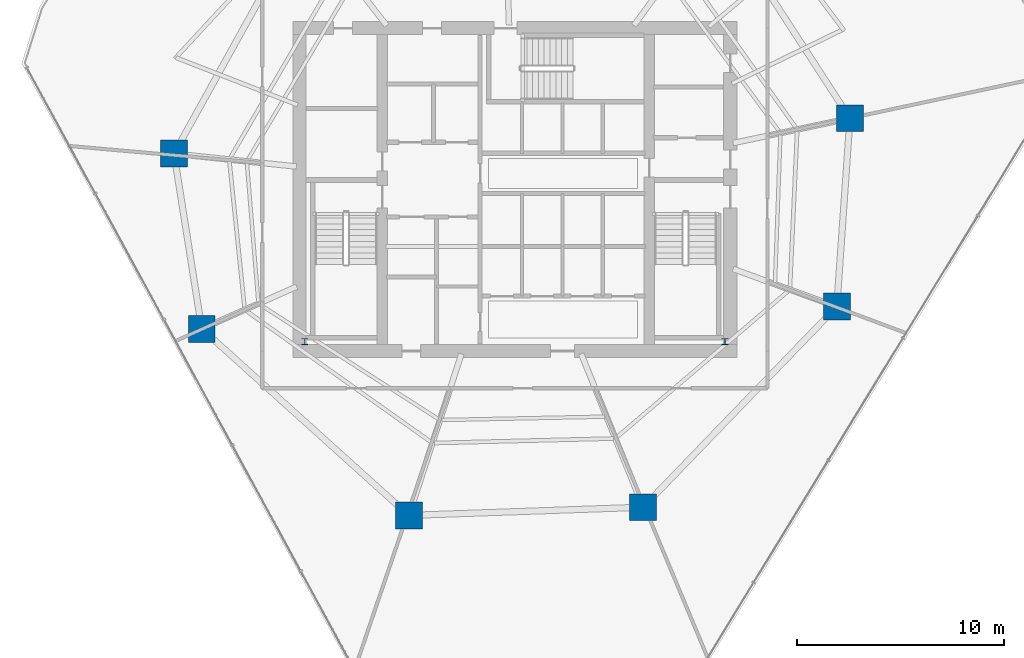
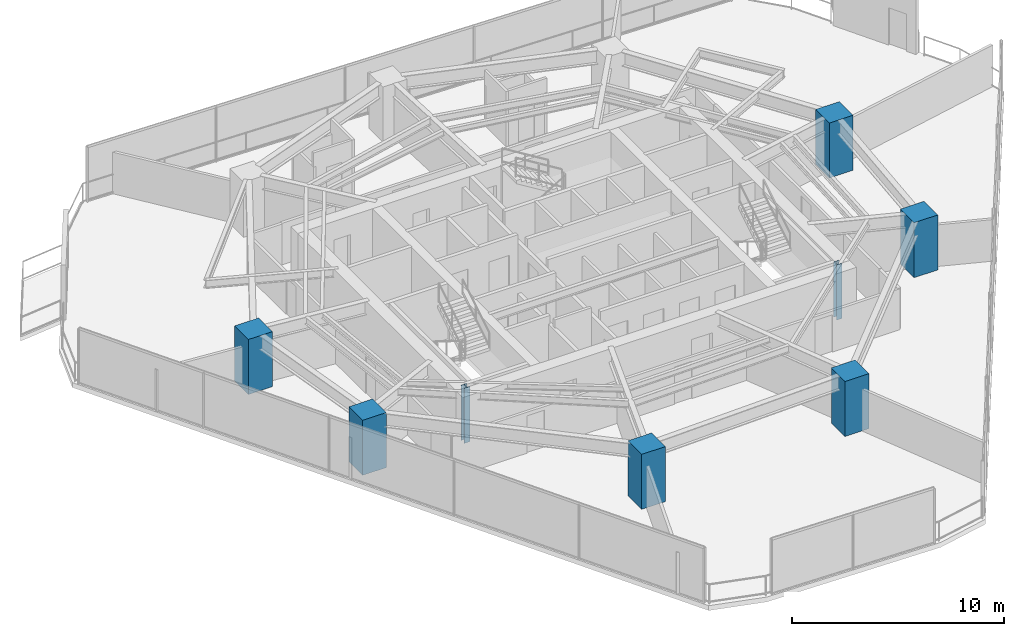
# One storey, part 1 of 30: 8 columns.
"""IFC4 building model written with IfcOpenShell, lengths in metres."""

import ifcopenshell
import ifcopenshell.guid

model = None  # the IFC model being written
_history = None  # IfcOwnerHistory: only IFC2X3 demands one
_inside = {}  # id of a spatial element -> (the spatial element, [elements in it])
_under = {}  # id of a project, library or spatial element -> (it, [spatial elements below it])
_declared = {}  # id of a project -> (the project, [libraries it declares])
_typed = {}  # id of a type object -> (the type object, [elements of that type])
_made_of = {}  # id of a material, layer set ... -> (it, [elements and type objects made of it])


def new_model(schema):
    """Start an empty IFC model of exactly this schema.

    Asked for "IFC4X3", IfcOpenShell would pick the latest addendum, in which some entities
    have other attributes; the version numbers below select the first issue.
    IFC2X3 requires an IfcOwnerHistory on every rooted entity: one is made here for all.
    """
    global model, _history
    if schema == "IFC4X3":
        model = ifcopenshell.file(schema_version=(4, 3, 0, 0))
    else:
        model = ifcopenshell.file(schema=schema)
    _inside.clear()
    _under.clear()
    _declared.clear()
    _typed.clear()
    _made_of.clear()
    _history = None
    if model.schema == "IFC2X3":
        org = make("IfcOrganization", Name="unknown")
        user = make(
            "IfcPersonAndOrganization",
            ThePerson=make("IfcPerson", FamilyName="unknown"),
            TheOrganization=org,
        )
        app = make(
            "IfcApplication",
            ApplicationDeveloper=org,
            Version="unknown",
            ApplicationFullName="unknown",
            ApplicationIdentifier="unknown",
        )
        _history = make(
            "IfcOwnerHistory",
            OwningUser=user,
            OwningApplication=app,
            ChangeAction="ADDED",
            CreationDate=0,
        )
    return model


def make(cls, **values):
    """One entity of the class cls with the attributes given. An attribute that is None is left unset."""
    return model.create_entity(
        cls, **{name: value for name, value in values.items() if value is not None}
    )


def rooted(cls, **values):
    """An entity with a GlobalId (a new one), such as an element, a storey or a relation."""
    return make(cls, GlobalId=ifcopenshell.guid.new(), OwnerHistory=_history, **values)


def si_unit(unit_type, name, prefix=None):
    """IfcSIUnit, for example si_unit("LENGTHUNIT", "METRE", prefix="MILLI")."""
    return make("IfcSIUnit", UnitType=unit_type, Prefix=prefix, Name=name)


def assignment(units):
    """IfcUnitAssignment: the units of a project."""
    return None if units is None else make("IfcUnitAssignment", Units=units)


def point(xyz):
    """IfcCartesianPoint."""
    return None if xyz is None else make("IfcCartesianPoint", Coordinates=xyz)


def direction(xyz):
    """IfcDirection."""
    return None if xyz is None else make("IfcDirection", DirectionRatios=xyz)


def frame(location, z_axis=None, x_axis=None):
    """IfcAxis2Placement3D, a coordinate frame: its origin and axes. An axis left out is left unset."""
    return make(
        "IfcAxis2Placement3D",
        Location=point(location),
        Axis=direction(z_axis),
        RefDirection=direction(x_axis),
    )


def frame_2d(location, x_axis=None):
    """IfcAxis2Placement2D, a coordinate frame in the plane: its origin and x axis."""
    return make(
        "IfcAxis2Placement2D", Location=point(location), RefDirection=direction(x_axis)
    )


def origin():
    """The frame at (0, 0, 0) with its axes left unset."""
    return frame((0.0, 0.0, 0.0))


def origin_2d():
    """The frame at (0, 0) in the plane with its x axis left unset."""
    return frame_2d((0.0, 0.0))


def place(relative_to, where):
    """IfcLocalPlacement: puts the frame where relative to a parent placement (None: the world)."""
    return make(
        "IfcLocalPlacement", PlacementRelTo=relative_to, RelativePlacement=where
    )


def context(
    kind, dimensions, precision=None, world=None, true_north=None, identifier=None
):
    """IfcGeometricRepresentationContext, for example the 3D "Model" context."""
    return make(
        "IfcGeometricRepresentationContext",
        ContextIdentifier=identifier,
        ContextType=kind,
        CoordinateSpaceDimension=dimensions,
        Precision=precision,
        WorldCoordinateSystem=world,
        TrueNorth=true_north,
    )


def subcontext(parent, identifier, kind, view, scale=None):
    """IfcGeometricRepresentationSubContext, for example "Body" below "Model"."""
    return make(
        "IfcGeometricRepresentationSubContext",
        ContextIdentifier=identifier,
        ContextType=kind,
        ParentContext=parent,
        TargetScale=scale,
        TargetView=view,
    )


def project(units=None, contexts=None):
    """IfcProject with its units and contexts."""
    return rooted(
        "IfcProject",
        Name="project",
        RepresentationContexts=contexts,
        UnitsInContext=assignment(units),
    )


def spatial(cls, under=None, at=None, **own):
    """A site, building, storey or space (cls), placed at a placement, below another one or the project."""
    s = rooted(cls, ObjectPlacement=at, **own)
    if under is not None:
        _under.setdefault(under.id(), (under, []))[1].append(s)
    return s


def profile(cls, at=None, kind="AREA", **sizes):
    """A parametric profile (cls). Its sizes go by their IFC names, for example OverallWidth=200.0."""
    return make(cls, ProfileType=kind, Position=at, **sizes)


def rectangle(**sizes):
    """IfcRectangleProfileDef."""
    return profile("IfcRectangleProfileDef", **sizes)


def i_section(**sizes):
    """IfcIShapeProfileDef."""
    return profile("IfcIShapeProfileDef", **sizes)


def extrude(swept, where, along, depth):
    """IfcExtrudedAreaSolid: the profile swept, set in the frame where, extruded along a direction by depth."""
    return make(
        "IfcExtrudedAreaSolid",
        SweptArea=swept,
        Position=where,
        ExtrudedDirection=direction(along),
        Depth=depth,
    )


def shape(context_of_items, identifier, shape_type, items):
    """IfcShapeRepresentation: the items that make up one representation, for example the "Body"."""
    return make(
        "IfcShapeRepresentation",
        ContextOfItems=context_of_items,
        RepresentationIdentifier=identifier,
        RepresentationType=shape_type,
        Items=items,
    )


def material(Name=None, Category=None):
    """IfcMaterial."""
    return make("IfcMaterial", Name=Name, Category=Category)


def material_profile(
    of_material, cross_section, Name=None, Category=None, Priority=None
):
    """IfcMaterialProfile: a cross section and its material."""
    return make(
        "IfcMaterialProfile",
        Name=Name,
        Material=of_material,
        Profile=cross_section,
        Priority=Priority,
        Category=Category,
    )


def profile_set(profiles, Name=None, composite=None):
    """IfcMaterialProfileSet."""
    return make(
        "IfcMaterialProfileSet",
        Name=Name,
        MaterialProfiles=profiles,
        CompositeProfile=composite,
    )


def made_of(thing, what):
    """Note that an element or type object is made of a material, layer set ...; save() writes the relation."""
    if what is not None:
        _made_of.setdefault(what.id(), (what, []))[1].append(thing)
    return thing


def type_object(cls, material=None, **own):
    """A type object (cls), such as IfcWallType, which elements share."""
    return made_of(rooted(cls, **own), material)


def element(
    cls,
    number,
    at=None,
    inside=None,
    cuts=None,
    type_object=None,
    material=None,
    context=None,
    identifier="Body",
    shape_type=None,
    held_by="IfcProductDefinitionShape",
    body=None,
    shapes=None,
    **own,
):
    """One element of the class cls, such as IfcWall. Its Tag is "e" and its number.

    at: its placement. inside: the storey or other place that contains it. cuts: it is an
    opening in that element (IfcRelVoidsElement). A single representation is given by context,
    identifier, shape_type and body (its items); several are given by shapes. held_by: the class
    of the entity that holds the representations. save() writes the other relations.
    """
    e = rooted(cls, Tag="e%d" % number, ObjectPlacement=at, **own)
    if body is not None:
        shapes = [shape(context, identifier, shape_type, body)]
    if shapes is not None:
        e.Representation = make(held_by, Representations=shapes)
    if inside is not None:
        _inside.setdefault(inside.id(), (inside, []))[1].append(e)
    if cuts is not None:
        rooted(
            "IfcRelVoidsElement", RelatingBuildingElement=cuts, RelatedOpeningElement=e
        )
    if type_object is not None:
        _typed.setdefault(type_object.id(), (type_object, []))[1].append(e)
    return made_of(e, material)


def aggregate(whole, parts):
    """IfcRelAggregates: a whole, such as a stair, and the parts it consists of."""
    return rooted("IfcRelAggregates", RelatingObject=whole, RelatedObjects=parts)


def save(model, path):
    """Write the relations noted so far, then the file.

    IfcRelAggregates (storeys below a building ...), IfcRelContainedInSpatialStructure (elements
    in a storey), IfcRelDefinesByType, IfcRelAssociatesMaterial and IfcRelDeclares: one each for
    every whole, place, type object, material and project.
    """
    for whole, parts in _under.values():
        aggregate(whole, parts)
    for where, things in _inside.values():
        rooted(
            "IfcRelContainedInSpatialStructure",
            RelatedElements=things,
            RelatingStructure=where,
        )
    for kind, things in _typed.values():
        rooted("IfcRelDefinesByType", RelatedObjects=things, RelatingType=kind)
    for what, things in _made_of.values():
        rooted("IfcRelAssociatesMaterial", RelatedObjects=things, RelatingMaterial=what)
    for by, libraries in _declared.values():
        rooted("IfcRelDeclares", RelatingContext=by, RelatedDefinitions=libraries)
    model.write(path)


model = new_model("IFC4")

# Units and contexts
model_context = context("Model", 3, precision=1e-05, world=origin(), true_north=direction((0.0, 1.0)))
body_context = subcontext(model_context, "Body", "Model", "MODEL_VIEW")
ifc_project = project(units=[si_unit("LENGTHUNIT", "METRE"), si_unit("AREAUNIT", "SQUARE_METRE"), si_unit("VOLUMEUNIT", "CUBIC_METRE"), si_unit("PLANEANGLEUNIT", "RADIAN"), si_unit("MASSUNIT", "GRAM", prefix="KILO")], contexts=[model_context])

# Site, building, storey
site_placement = place(None, origin())
site = spatial("IfcSite", under=ifc_project, at=site_placement, CompositionType="ELEMENT")
building_placement = place(site_placement, origin())
building = spatial("IfcBuilding", under=site, at=building_placement, Name="Qarnah Convention Tower", CompositionType="ELEMENT")
storey_placement = place(building_placement, frame((0.0, 0.0, 61.5)))
storey = spatial("IfcBuildingStorey", under=building, at=storey_placement, Name="L15", CompositionType="ELEMENT", Elevation=61.5)

# Columns
ifc_material_1 = material(Name="Concrete C60/75", Category="concrete")
ifc_material_profile_1 = material_profile(ifc_material_1, rectangle(XDim=1.300048828125, YDim=1.300048828125, at=origin_2d()), Name="RC-COL-1300X1300")
ifc_profile_set_1 = profile_set([ifc_material_profile_1], Name="Concrete C60/75")
column_type_1 = type_object("IfcColumnType", Name="COL-Z1-1300", PredefinedType="COLUMN", material=ifc_profile_set_1)
for number, where, z_axis, x_axis, name in (
    (1, (53.387939453125, 29.841064453125, 0.0), (0.0, 0.0, 1.0), (1.0, 0.0, 0.0), "L15 plumb column PC-Z1-01"),
    (2, (20.740966796875, 28.1298828125, 0.0), (0.0, 0.0, 1.0), (1.0, 0.0, 0.0), "L15 plumb column PC-Z1-05"),
    (3, (22.0810546875, 19.6689453125, 0.0), (0.0, 0.0, 1.0), (1.0, 0.0, 0.0), "L15 plumb column PC-Z1-06"),
    (4, (32.0859375, 10.659912109375, 0.0), (0.0, 0.0, 1.0), (1.0, 0.0, 0.0), "L15 plumb column PC-Z1-07"),
    (5, (43.39990234375, 11.054931640625, 0.0), (0.0, 0.0, 1.0), (1.0, 0.0, 0.0), "L15 plumb column PC-Z1-08"),
    (6, (52.751953125, 20.739990234375, 0.0), (0.0, 0.0, 1.0), (1.0, 0.0, 0.0), "L15 plumb column PC-Z1-09"),
):
    element("IfcColumn", number, at=place(storey_placement, frame(where, z_axis=z_axis, x_axis=x_axis)), inside=storey, type_object=column_type_1, Name=name, PredefinedType="COLUMN", context=body_context, shape_type="SweptSolid", body=[
        extrude(rectangle(XDim=1.300048828125, YDim=1.300048828125, at=origin_2d()), origin(), (0.0, 0.0, 1.0), 3.169921875),
    ])
ifc_material_2 = material(Name="Structural steel S355JR", Category="steel")
ifc_material_profile_2 = material_profile(ifc_material_2, i_section(OverallWidth=0.300048828125, OverallDepth=0.300048828125, WebThickness=0.010986328125, FlangeThickness=0.01904296875, at=origin_2d()), Name="HEB300")
ifc_profile_set_2 = profile_set([ifc_material_profile_2], Name="Structural steel S355JR")
column_type_2 = type_object("IfcColumnType", Name="PIL-SHF-300", PredefinedType="PILASTER", material=ifc_profile_set_2)
for number, where, z_axis, x_axis, name in (
    (7, (27.050048828125, 19.050048828125, 0.0), (0.0, 0.0, 1.0), (1.0, 0.0, 0.0), "L15 core spine steel pilaster 1"),
    (8, (47.35009765625, 19.050048828125, 0.0), (0.0, 0.0, 1.0), (1.0, 0.0, 0.0), "L15 core spine steel pilaster 2"),
):
    element("IfcColumn", number, at=place(storey_placement, frame(where, z_axis=z_axis, x_axis=x_axis)), inside=storey, type_object=column_type_2, Name=name, PredefinedType="PILASTER", context=body_context, shape_type="SweptSolid", body=[
        extrude(i_section(OverallWidth=0.300048828125, OverallDepth=0.300048828125, WebThickness=0.010986328125, FlangeThickness=0.01904296875, at=origin_2d()), origin(), (0.0, 0.0, 1.0), 3.169921875),
    ])

save(model, "model.ifc")
